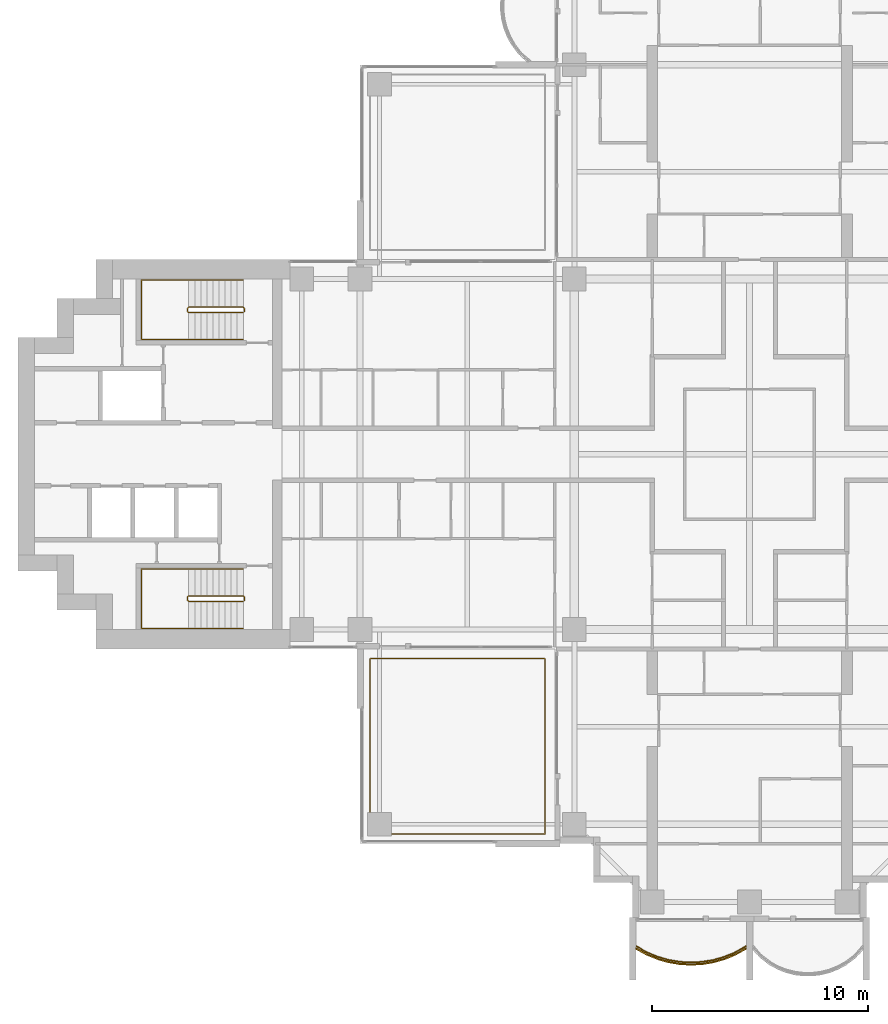
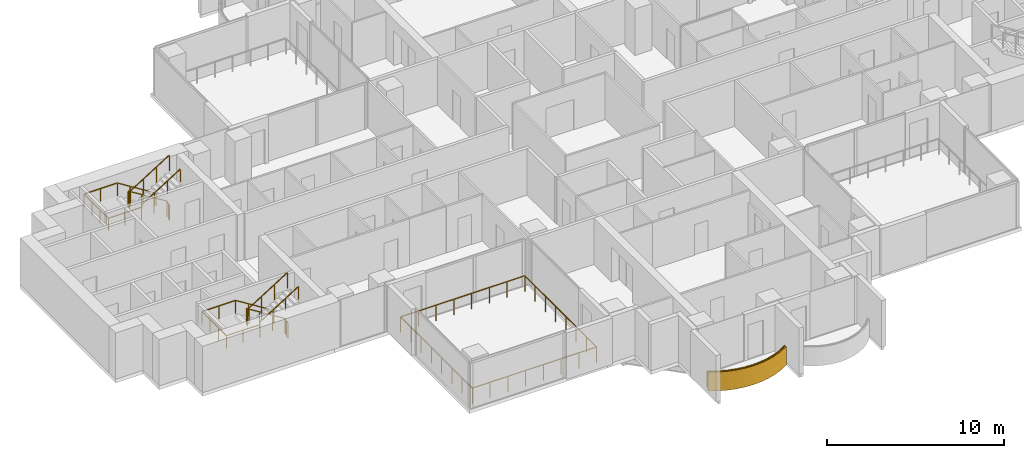
# One storey, part 16 of 19: 6 railings, 1 covering.
"""IFC4 building model written with IfcOpenShell, lengths in metres."""

from ifc_helpers import new_model, si_unit, direction, frame, origin, origin_2d, place, context, subcontext, project, spatial, polyline, rectangle, outline, extrude, material, layer, layer_set, type_object, element, save


model = new_model("IFC4")

# Units and contexts
model_context = context("Model", 3, precision=1e-05, world=origin(), true_north=direction((0.0, 1.0)))
body_context = subcontext(model_context, "Body", "Model", "MODEL_VIEW")
ifc_project = project(units=[si_unit("LENGTHUNIT", "METRE"), si_unit("AREAUNIT", "SQUARE_METRE"), si_unit("VOLUMEUNIT", "CUBIC_METRE"), si_unit("PLANEANGLEUNIT", "RADIAN"), si_unit("MASSUNIT", "GRAM", prefix="KILO")], contexts=[model_context])

# Site, building, storey
site_placement = place(None, origin())
site = spatial("IfcSite", under=ifc_project, at=site_placement, CompositionType="ELEMENT")
building_placement = place(site_placement, origin())
building = spatial("IfcBuilding", under=site, at=building_placement, Name="Perihelion Cross Residences", CompositionType="ELEMENT")
storey_placement = place(building_placement, frame((0.0, 0.0, 151.39990234375)))
storey = spatial("IfcBuildingStorey", under=building, at=storey_placement, Name="L37", CompositionType="ELEMENT", Elevation=151.39990234375)

# Covering
ifc_material_1 = material(Name="Bronze anodised aluminium", Category="aluminium")
ifc_layer = layer(ifc_material_1, 0.070068359375)
ifc_layer_set = layer_set([ifc_layer], Name="Balcony fascia 1300")
covering_type = type_object("IfcCoveringType", Name="Balcony fascia 1300", PredefinedType="CLADDING", material=ifc_layer_set)
covering_placement = place(storey_placement, frame((0.0, 0.0, -0.199951171875)))
element("IfcCovering", 1, at=covering_placement, inside=storey, type_object=covering_type, Name="Fascia BF1 L37 south tip south bay 1", PredefinedType="CLADDING", context=body_context, shape_type="SweptSolid", body=[
    extrude(outline(polyline([(-4.7705078125, -23.1484375), (-4.2529296875, -23.36083984375), (-3.735107421875, -23.506591796875), (-3.217529296875, -23.591796875), (-2.699951171875, -23.6201171875), (-2.182373046875, -23.591796875), (-1.664794921875, -23.506591796875), (-1.147216796875, -23.36083984375), (-0.629638671875, -23.1484375), (-0.14990234375, -22.880126953125), (-0.14990234375, -22.800048828125), (-0.659912109375, -23.085205078125), (-1.169921875, -23.294677734375), (-1.679931640625, -23.438232421875), (-2.18994140625, -23.522216796875), (-2.699951171875, -23.550048828125), (-3.2099609375, -23.522216796875), (-3.719970703125, -23.438232421875), (-4.22998046875, -23.294677734375), (-4.739990234375, -23.085205078125), (-5.25, -22.800048828125), (-5.25, -22.880126953125), (-4.7705078125, -23.1484375)])), origin(), (0.0, 0.0, 1.0), 1.300048828125),
])

# Railings
ifc_material_2 = material(Name="Bronze anodised aluminium", Category="aluminium")
railing_type_1 = type_object("IfcRailingType", Name="Balcony guard 1100", PredefinedType="GUARDRAIL", material=ifc_material_2)
railing_1_placement = place(storey_placement, frame((-5.22509765625, -22.739990234375, 0.0)))
element("IfcRailing", 2, at=railing_1_placement, inside=storey, type_object=railing_type_1, Name="Guard GU1 L37 south tip south bay 1 balcony", PredefinedType="GUARDRAIL", context=body_context, shape_type="SweptSolid", body=[
    extrude(rectangle(XDim=0.048095703125, YDim=0.048095703125, at=origin_2d()), frame((0.0, 0.0, 1.076171875), z_axis=(0.861900760591, -0.507076995033, 0.0), x_axis=(0.507076995033, 0.861900760591, 0.0)), (0.0, 0.0, 1.0), 0.562744140625),
    extrude(rectangle(XDim=0.048095703125, YDim=0.048095703125, at=origin_2d()), frame((0.485107421875, -0.285400390625, 1.076171875), z_axis=(0.925172605972, -0.379546636342, 0.0), x_axis=(0.379546636342, 0.925172605972, 0.0)), (0.0, 0.0, 1.0), 0.55126953125),
    extrude(rectangle(XDim=0.048095703125, YDim=0.048095703125, at=origin_2d()), frame((0.9951171875, -0.49462890625, 1.076171875), z_axis=(0.962594623481, -0.270945734134, 0.0), x_axis=(0.270945734134, 0.962594623481, 0.0)), (0.0, 0.0, 1.0), 0.52978515625),
    extrude(rectangle(XDim=0.048095703125, YDim=0.048095703125, at=origin_2d()), frame((1.505126953125, -0.63818359375, 1.076171875), z_axis=(0.98663538303, -0.162943612803, 0.0), x_axis=(0.162943612803, 0.98663538303, 0.0)), (0.0, 0.0, 1.0), 0.516845703125),
    extrude(rectangle(XDim=0.048095703125, YDim=0.048095703125, at=origin_2d()), frame((2.01513671875, -0.722412109375, 1.076171875), z_axis=(0.998540183677, -0.05401390175, 0.0), x_axis=(0.05401390175, 0.998540183677, 0.0)), (0.0, 0.0, 1.0), 0.5107421875),
    extrude(rectangle(XDim=0.048095703125, YDim=0.048095703125, at=origin_2d()), frame((2.525146484375, -0.75, 1.076171875), z_axis=(0.998540183677, 0.05401390175, 0.0), x_axis=(-0.05401390175, 0.998540183677, 0.0)), (0.0, 0.0, 1.0), 0.5107421875),
    extrude(rectangle(XDim=0.048095703125, YDim=0.048095703125, at=origin_2d()), frame((3.03515625, -0.722412109375, 1.076171875), z_axis=(0.98663538303, 0.162943612803, 0.0), x_axis=(-0.162943612803, 0.98663538303, 0.0)), (0.0, 0.0, 1.0), 0.516845703125),
    extrude(rectangle(XDim=0.048095703125, YDim=0.048095703125, at=origin_2d()), frame((3.545166015625, -0.63818359375, 1.076171875), z_axis=(0.962594623481, 0.270945734134, 0.0), x_axis=(-0.270945734134, 0.962594623481, 0.0)), (0.0, 0.0, 1.0), 0.52978515625),
    extrude(rectangle(XDim=0.048095703125, YDim=0.048095703125, at=origin_2d()), frame((4.05517578125, -0.49462890625, 1.076171875), z_axis=(0.925172605972, 0.379546636342, 0.0), x_axis=(-0.379546636342, 0.925172605972, 0.0)), (0.0, 0.0, 1.0), 0.55126953125),
    extrude(rectangle(XDim=0.048095703125, YDim=0.048095703125, at=origin_2d()), frame((4.565185546875, -0.285400390625, 1.076171875), z_axis=(0.861789164031, 0.507266632806, 0.0), x_axis=(-0.507266632806, 0.861789164031, 0.0)), (0.0, 0.0, 1.0), 0.562744140625),
    extrude(rectangle(XDim=0.0419921875, YDim=0.0419921875, at=origin_2d()), origin(), (0.0, 0.0, 1.0), 1.052001953125),
    extrude(rectangle(XDim=0.0419921875, YDim=0.0419921875, at=origin_2d()), frame((0.485107421875, -0.285400390625, 0.0)), (0.0, 0.0, 1.0), 1.052001953125),
    extrude(rectangle(XDim=0.0419921875, YDim=0.0419921875, at=origin_2d()), frame((0.9951171875, -0.49462890625, 0.0)), (0.0, 0.0, 1.0), 1.052001953125),
    extrude(rectangle(XDim=0.0419921875, YDim=0.0419921875, at=origin_2d()), frame((1.505126953125, -0.63818359375, 0.0)), (0.0, 0.0, 1.0), 1.052001953125),
    extrude(rectangle(XDim=0.0419921875, YDim=0.0419921875, at=origin_2d()), frame((2.01513671875, -0.722412109375, 0.0)), (0.0, 0.0, 1.0), 1.052001953125),
    extrude(rectangle(XDim=0.0419921875, YDim=0.0419921875, at=origin_2d()), frame((2.525146484375, -0.75, 0.0)), (0.0, 0.0, 1.0), 1.052001953125),
    extrude(rectangle(XDim=0.0419921875, YDim=0.0419921875, at=origin_2d()), frame((3.03515625, -0.722412109375, 0.0)), (0.0, 0.0, 1.0), 1.052001953125),
    extrude(rectangle(XDim=0.0419921875, YDim=0.0419921875, at=origin_2d()), frame((3.545166015625, -0.63818359375, 0.0)), (0.0, 0.0, 1.0), 1.052001953125),
    extrude(rectangle(XDim=0.0419921875, YDim=0.0419921875, at=origin_2d()), frame((4.05517578125, -0.49462890625, 0.0)), (0.0, 0.0, 1.0), 1.052001953125),
    extrude(rectangle(XDim=0.0419921875, YDim=0.0419921875, at=origin_2d()), frame((4.565185546875, -0.285400390625, 0.0)), (0.0, 0.0, 1.0), 1.052001953125),
    extrude(rectangle(XDim=0.0419921875, YDim=0.0419921875, at=origin_2d()), frame((5.050048828125, 0.0, 0.0)), (0.0, 0.0, 1.0), 1.052001953125),
])
railing_2_placement = place(storey_placement, frame((-9.449951171875, -17.550048828125, 0.0)))
element("IfcRailing", 3, at=railing_2_placement, inside=storey, type_object=railing_type_1, Name="Guard GU1 L37 pocket south-west 1", PredefinedType="GUARDRAIL", context=body_context, shape_type="SweptSolid", body=[
    extrude(rectangle(XDim=0.048095703125, YDim=0.048095703125, at=origin_2d()), frame((0.0, 0.0, 1.076171875), z_axis=(-1.0, 0.0, 0.0), x_axis=(0.0, -1.0, 0.0)), (0.0, 0.0, 1.0), 8.10009765625),
    extrude(rectangle(XDim=0.048095703125, YDim=0.048095703125, at=origin_2d()), frame((-8.10009765625, 0.0, 1.076171875), z_axis=(0.0, 1.0, 0.0), x_axis=(-1.0, 0.0, 0.0)), (0.0, 0.0, 1.0), 8.10009765625),
    extrude(rectangle(XDim=0.048095703125, YDim=0.048095703125, at=origin_2d()), frame((-8.10009765625, 8.10009765625, 1.076171875), z_axis=(1.0, 0.0, 0.0), x_axis=(0.0, 1.0, 0.0)), (0.0, 0.0, 1.0), 8.10009765625),
    extrude(rectangle(XDim=0.048095703125, YDim=0.048095703125, at=origin_2d()), frame((0.0, 8.10009765625, 1.076171875), z_axis=(0.0, -1.0, 0.0), x_axis=(1.0, 0.0, 0.0)), (0.0, 0.0, 1.0), 8.10009765625),
    extrude(rectangle(XDim=0.0419921875, YDim=0.0419921875, at=origin_2d()), origin(), (0.0, 0.0, 1.0), 1.052001953125),
    extrude(rectangle(XDim=0.0419921875, YDim=0.0419921875, at=origin_2d()), frame((-1.1572265625, 0.0, 0.0)), (0.0, 0.0, 1.0), 1.052001953125),
    extrude(rectangle(XDim=0.0419921875, YDim=0.0419921875, at=origin_2d()), frame((-2.314208984375, 0.0, 0.0)), (0.0, 0.0, 1.0), 1.052001953125),
    extrude(rectangle(XDim=0.0419921875, YDim=0.0419921875, at=origin_2d()), frame((-3.471435546875, 0.0, 0.0)), (0.0, 0.0, 1.0), 1.052001953125),
    extrude(rectangle(XDim=0.0419921875, YDim=0.0419921875, at=origin_2d()), frame((-4.628662109375, 0.0, 0.0)), (0.0, 0.0, 1.0), 1.052001953125),
    extrude(rectangle(XDim=0.0419921875, YDim=0.0419921875, at=origin_2d()), frame((-5.785888671875, 0.0, 0.0)), (0.0, 0.0, 1.0), 1.052001953125),
    extrude(rectangle(XDim=0.0419921875, YDim=0.0419921875, at=origin_2d()), frame((-6.94287109375, 0.0, 0.0)), (0.0, 0.0, 1.0), 1.052001953125),
    extrude(rectangle(XDim=0.0419921875, YDim=0.0419921875, at=origin_2d()), frame((-8.10009765625, 0.0, 0.0)), (0.0, 0.0, 1.0), 1.052001953125),
    extrude(rectangle(XDim=0.0419921875, YDim=0.0419921875, at=origin_2d()), frame((-8.10009765625, 1.1572265625, 0.0)), (0.0, 0.0, 1.0), 1.052001953125),
    extrude(rectangle(XDim=0.0419921875, YDim=0.0419921875, at=origin_2d()), frame((-8.10009765625, 2.314208984375, 0.0)), (0.0, 0.0, 1.0), 1.052001953125),
    extrude(rectangle(XDim=0.0419921875, YDim=0.0419921875, at=origin_2d()), frame((-8.10009765625, 3.471435546875, 0.0)), (0.0, 0.0, 1.0), 1.052001953125),
    extrude(rectangle(XDim=0.0419921875, YDim=0.0419921875, at=origin_2d()), frame((-8.10009765625, 4.628662109375, 0.0)), (0.0, 0.0, 1.0), 1.052001953125),
    extrude(rectangle(XDim=0.0419921875, YDim=0.0419921875, at=origin_2d()), frame((-8.10009765625, 5.785888671875, 0.0)), (0.0, 0.0, 1.0), 1.052001953125),
    extrude(rectangle(XDim=0.0419921875, YDim=0.0419921875, at=origin_2d()), frame((-8.10009765625, 6.94287109375, 0.0)), (0.0, 0.0, 1.0), 1.052001953125),
    extrude(rectangle(XDim=0.0419921875, YDim=0.0419921875, at=origin_2d()), frame((-8.10009765625, 8.10009765625, 0.0)), (0.0, 0.0, 1.0), 1.052001953125),
    extrude(rectangle(XDim=0.0419921875, YDim=0.0419921875, at=origin_2d()), frame((-6.94287109375, 8.10009765625, 0.0)), (0.0, 0.0, 1.0), 1.052001953125),
    extrude(rectangle(XDim=0.0419921875, YDim=0.0419921875, at=origin_2d()), frame((-5.785888671875, 8.10009765625, 0.0)), (0.0, 0.0, 1.0), 1.052001953125),
    extrude(rectangle(XDim=0.0419921875, YDim=0.0419921875, at=origin_2d()), frame((-4.628662109375, 8.10009765625, 0.0)), (0.0, 0.0, 1.0), 1.052001953125),
    extrude(rectangle(XDim=0.0419921875, YDim=0.0419921875, at=origin_2d()), frame((-3.471435546875, 8.10009765625, 0.0)), (0.0, 0.0, 1.0), 1.052001953125),
    extrude(rectangle(XDim=0.0419921875, YDim=0.0419921875, at=origin_2d()), frame((-2.314208984375, 8.10009765625, 0.0)), (0.0, 0.0, 1.0), 1.052001953125),
    extrude(rectangle(XDim=0.0419921875, YDim=0.0419921875, at=origin_2d()), frame((-1.1572265625, 8.10009765625, 0.0)), (0.0, 0.0, 1.0), 1.052001953125),
    extrude(rectangle(XDim=0.0419921875, YDim=0.0419921875, at=origin_2d()), frame((0.0, 8.10009765625, 0.0)), (0.0, 0.0, 1.0), 1.052001953125),
    extrude(rectangle(XDim=0.0419921875, YDim=0.0419921875, at=origin_2d()), frame((0.0, 6.94287109375, 0.0)), (0.0, 0.0, 1.0), 1.052001953125),
    extrude(rectangle(XDim=0.0419921875, YDim=0.0419921875, at=origin_2d()), frame((0.0, 5.785888671875, 0.0)), (0.0, 0.0, 1.0), 1.052001953125),
    extrude(rectangle(XDim=0.0419921875, YDim=0.0419921875, at=origin_2d()), frame((0.0, 4.628662109375, 0.0)), (0.0, 0.0, 1.0), 1.052001953125),
    extrude(rectangle(XDim=0.0419921875, YDim=0.0419921875, at=origin_2d()), frame((0.0, 3.471435546875, 0.0)), (0.0, 0.0, 1.0), 1.052001953125),
    extrude(rectangle(XDim=0.0419921875, YDim=0.0419921875, at=origin_2d()), frame((0.0, 2.314208984375, 0.0)), (0.0, 0.0, 1.0), 1.052001953125),
    extrude(rectangle(XDim=0.0419921875, YDim=0.0419921875, at=origin_2d()), frame((0.0, 1.1572265625, 0.0)), (0.0, 0.0, 1.0), 1.052001953125),
])
ifc_material_3 = material(Name="Stainless steel", Category="steel")
railing_type_2 = type_object("IfcRailingType", Name="Stair guard 1100", PredefinedType="GUARDRAIL", material=ifc_material_3)
railing_3_placement = place(storey_placement, frame((-23.35009765625, 6.60009765625, 0.0)))
element("IfcRailing", 4, at=railing_3_placement, inside=storey, type_object=railing_type_2, Name="L37 ST-W1 stair guard 1", PredefinedType="GUARDRAIL", context=body_context, shape_type="SweptSolid", body=[
    extrude(rectangle(XDim=0.048095703125, YDim=0.048095703125, at=origin_2d()), frame((0.0, 0.0, 1.076171875), z_axis=(0.0, 1.0, 0.0), x_axis=(-1.0, 0.0, 0.0)), (0.0, 0.0, 1.0), 0.14990234375),
    extrude(rectangle(XDim=0.048095703125, YDim=0.048095703125, at=origin_2d()), frame((0.0, 0.14990234375, 1.076171875), z_axis=(-0.263862480399, 0.265155923931, 0.927399011991), x_axis=(-0.708833529934, -0.705375805398, 0.0)), (0.0, 0.0, 1.0), 0.188720703125),
    extrude(rectangle(XDim=0.048095703125, YDim=0.048095703125, at=origin_2d()), frame((-0.0498046875, 0.199951171875, 1.2509765625), z_axis=(-0.848007534815, 0.0, 0.529984170421), x_axis=(0.0, -1.0, 0.0)), (0.0, 0.0, 1.0), 2.9716796875),
    extrude(rectangle(XDim=0.048095703125, YDim=0.048095703125, at=origin_2d()), frame((-2.56982421875, 0.199951171875, 2.826171875), z_axis=(-0.707106781187, -0.707106781187, 0.0), x_axis=(0.707106781187, -0.707106781187, 0.0)), (0.0, 0.0, 1.0), 0.07080078125),
    extrude(rectangle(XDim=0.048095703125, YDim=0.048095703125, at=origin_2d()), frame((-2.619873046875, 0.14990234375, 2.826171875), z_axis=(0.0, -1.0, 0.0), x_axis=(1.0, 0.0, 0.0)), (0.0, 0.0, 1.0), 0.14990234375),
    extrude(rectangle(XDim=0.048095703125, YDim=0.048095703125, at=origin_2d()), frame((-2.619873046875, 0.0, 2.826171875), z_axis=(0.265065253269, -0.265065253269, 0.927081885822), x_axis=(0.707106781187, 0.707106781187, 0.0)), (0.0, 0.0, 1.0), 0.188720703125),
    extrude(rectangle(XDim=0.048095703125, YDim=0.048095703125, at=origin_2d()), frame((-2.56982421875, -0.050048828125, 3.0009765625), z_axis=(0.848007534815, 0.0, 0.529984170421), x_axis=(0.0, 1.0, 0.0)), (0.0, 0.0, 1.0), 2.9716796875),
    extrude(rectangle(XDim=0.0419921875, YDim=0.0419921875, at=origin_2d()), origin(), (0.0, 0.0, 1.0), 1.052001953125),
    extrude(rectangle(XDim=0.0419921875, YDim=0.0419921875, at=origin_2d()), frame((0.0, 0.14990234375, 0.0)), (0.0, 0.0, 1.0), 1.052001953125),
    extrude(rectangle(XDim=0.0419921875, YDim=0.0419921875, at=origin_2d()), frame((-0.0498046875, 0.199951171875, 0.175048828125)), (0.0, 0.0, 1.0), 1.052001953125),
    extrude(rectangle(XDim=0.0419921875, YDim=0.0419921875, at=origin_2d()), frame((-0.889892578125, 0.199951171875, 0.699951171875)), (0.0, 0.0, 1.0), 1.052001953125),
    extrude(rectangle(XDim=0.0419921875, YDim=0.0419921875, at=origin_2d()), frame((-1.729736328125, 0.199951171875, 1.22509765625)), (0.0, 0.0, 1.0), 1.052001953125),
    extrude(rectangle(XDim=0.0419921875, YDim=0.0419921875, at=origin_2d()), frame((-2.56982421875, 0.199951171875, 1.75)), (0.0, 0.0, 1.0), 1.052001953125),
    extrude(rectangle(XDim=0.0419921875, YDim=0.0419921875, at=origin_2d()), frame((-2.619873046875, 0.14990234375, 1.75)), (0.0, 0.0, 1.0), 1.052001953125),
    extrude(rectangle(XDim=0.0419921875, YDim=0.0419921875, at=origin_2d()), frame((-2.619873046875, 0.0, 1.75)), (0.0, 0.0, 1.0), 1.052001953125),
    extrude(rectangle(XDim=0.0419921875, YDim=0.0419921875, at=origin_2d()), frame((-2.56982421875, -0.050048828125, 1.925048828125)), (0.0, 0.0, 1.0), 1.052001953125),
    extrude(rectangle(XDim=0.0419921875, YDim=0.0419921875, at=origin_2d()), frame((-1.729736328125, -0.050048828125, 2.449951171875)), (0.0, 0.0, 1.0), 1.052001953125),
    extrude(rectangle(XDim=0.0419921875, YDim=0.0419921875, at=origin_2d()), frame((-0.889892578125, -0.050048828125, 2.97509765625)), (0.0, 0.0, 1.0), 1.052001953125),
    extrude(rectangle(XDim=0.0419921875, YDim=0.0419921875, at=origin_2d()), frame((-0.0498046875, -0.050048828125, 3.5)), (0.0, 0.0, 1.0), 1.052001953125),
])
railing_4_placement = place(storey_placement, frame((-23.35009765625, -6.75, 0.0)))
element("IfcRailing", 5, at=railing_4_placement, inside=storey, type_object=railing_type_2, Name="L37 ST-W2 stair guard 1", PredefinedType="GUARDRAIL", context=body_context, shape_type="SweptSolid", body=[
    extrude(rectangle(XDim=0.048095703125, YDim=0.048095703125, at=origin_2d()), frame((0.0, 0.0, 1.076171875), z_axis=(0.0, 1.0, 0.0), x_axis=(-1.0, 0.0, 0.0)), (0.0, 0.0, 1.0), 0.14990234375),
    extrude(rectangle(XDim=0.048095703125, YDim=0.048095703125, at=origin_2d()), frame((0.0, 0.14990234375, 1.076171875), z_axis=(-0.263862480399, 0.265155923931, 0.927399011991), x_axis=(-0.708833529934, -0.705375805398, 0.0)), (0.0, 0.0, 1.0), 0.188720703125),
    extrude(rectangle(XDim=0.048095703125, YDim=0.048095703125, at=origin_2d()), frame((-0.0498046875, 0.199951171875, 1.2509765625), z_axis=(-0.848007534815, 0.0, 0.529984170421), x_axis=(0.0, -1.0, 0.0)), (0.0, 0.0, 1.0), 2.9716796875),
    extrude(rectangle(XDim=0.048095703125, YDim=0.048095703125, at=origin_2d()), frame((-2.56982421875, 0.199951171875, 2.826171875), z_axis=(-0.707106781187, -0.707106781187, 0.0), x_axis=(0.707106781187, -0.707106781187, 0.0)), (0.0, 0.0, 1.0), 0.07080078125),
    extrude(rectangle(XDim=0.048095703125, YDim=0.048095703125, at=origin_2d()), frame((-2.619873046875, 0.14990234375, 2.826171875), z_axis=(0.0, -1.0, 0.0), x_axis=(1.0, 0.0, 0.0)), (0.0, 0.0, 1.0), 0.14990234375),
    extrude(rectangle(XDim=0.048095703125, YDim=0.048095703125, at=origin_2d()), frame((-2.619873046875, 0.0, 2.826171875), z_axis=(0.265065253269, -0.265065253269, 0.927081885822), x_axis=(0.707106781187, 0.707106781187, 0.0)), (0.0, 0.0, 1.0), 0.188720703125),
    extrude(rectangle(XDim=0.048095703125, YDim=0.048095703125, at=origin_2d()), frame((-2.56982421875, -0.050048828125, 3.0009765625), z_axis=(0.848007534815, 0.0, 0.529984170421), x_axis=(0.0, 1.0, 0.0)), (0.0, 0.0, 1.0), 2.9716796875),
    extrude(rectangle(XDim=0.0419921875, YDim=0.0419921875, at=origin_2d()), origin(), (0.0, 0.0, 1.0), 1.052001953125),
    extrude(rectangle(XDim=0.0419921875, YDim=0.0419921875, at=origin_2d()), frame((0.0, 0.14990234375, 0.0)), (0.0, 0.0, 1.0), 1.052001953125),
    extrude(rectangle(XDim=0.0419921875, YDim=0.0419921875, at=origin_2d()), frame((-0.0498046875, 0.199951171875, 0.175048828125)), (0.0, 0.0, 1.0), 1.052001953125),
    extrude(rectangle(XDim=0.0419921875, YDim=0.0419921875, at=origin_2d()), frame((-0.889892578125, 0.199951171875, 0.699951171875)), (0.0, 0.0, 1.0), 1.052001953125),
    extrude(rectangle(XDim=0.0419921875, YDim=0.0419921875, at=origin_2d()), frame((-1.729736328125, 0.199951171875, 1.22509765625)), (0.0, 0.0, 1.0), 1.052001953125),
    extrude(rectangle(XDim=0.0419921875, YDim=0.0419921875, at=origin_2d()), frame((-2.56982421875, 0.199951171875, 1.75)), (0.0, 0.0, 1.0), 1.052001953125),
    extrude(rectangle(XDim=0.0419921875, YDim=0.0419921875, at=origin_2d()), frame((-2.619873046875, 0.14990234375, 1.75)), (0.0, 0.0, 1.0), 1.052001953125),
    extrude(rectangle(XDim=0.0419921875, YDim=0.0419921875, at=origin_2d()), frame((-2.619873046875, 0.0, 1.75)), (0.0, 0.0, 1.0), 1.052001953125),
    extrude(rectangle(XDim=0.0419921875, YDim=0.0419921875, at=origin_2d()), frame((-2.56982421875, -0.050048828125, 1.925048828125)), (0.0, 0.0, 1.0), 1.052001953125),
    extrude(rectangle(XDim=0.0419921875, YDim=0.0419921875, at=origin_2d()), frame((-1.729736328125, -0.050048828125, 2.449951171875)), (0.0, 0.0, 1.0), 1.052001953125),
    extrude(rectangle(XDim=0.0419921875, YDim=0.0419921875, at=origin_2d()), frame((-0.889892578125, -0.050048828125, 2.97509765625)), (0.0, 0.0, 1.0), 1.052001953125),
    extrude(rectangle(XDim=0.0419921875, YDim=0.0419921875, at=origin_2d()), frame((-0.0498046875, -0.050048828125, 3.5)), (0.0, 0.0, 1.0), 1.052001953125),
])
ifc_material_4 = material(Name="Stainless steel", Category="steel")
railing_type_3 = type_object("IfcRailingType", Name="Stair handrail 900", PredefinedType="HANDRAIL", material=ifc_material_4)
railing_5_placement = place(storey_placement, frame((-23.39990234375, 8.050048828125, 0.175048828125)))
element("IfcRailing", 6, at=railing_5_placement, inside=storey, type_object=railing_type_3, Name="L37 ST-W1 stair handrail 1", PredefinedType="HANDRAIL", context=body_context, shape_type="SweptSolid", body=[
    extrude(rectangle(XDim=0.048095703125, YDim=0.048095703125, at=origin_2d()), frame((0.0, 0.0, 0.8759765625), z_axis=(-0.848007534815, 0.0, 0.529984170421), x_axis=(0.0, -1.0, 0.0)), (0.0, 0.0, 1.0), 2.9716796875),
    extrude(rectangle(XDim=0.048095703125, YDim=0.048095703125, at=origin_2d()), frame((-2.52001953125, 0.0, 2.45068359375), z_axis=(-1.0, 0.0, 0.0), x_axis=(0.0, -1.0, 0.0)), (0.0, 0.0, 1.0), 2.18017578125),
    extrude(rectangle(XDim=0.048095703125, YDim=0.048095703125, at=origin_2d()), frame((-4.7001953125, 0.0, 2.45068359375), z_axis=(0.0, -1.0, 0.0), x_axis=(1.0, 0.0, 0.0)), (0.0, 0.0, 1.0), 2.75),
    extrude(rectangle(XDim=0.048095703125, YDim=0.048095703125, at=origin_2d()), frame((-4.7001953125, -2.75, 2.45068359375), z_axis=(1.0, 0.0, 0.0), x_axis=(0.0, 1.0, 0.0)), (0.0, 0.0, 1.0), 2.18017578125),
    extrude(rectangle(XDim=0.048095703125, YDim=0.048095703125, at=origin_2d()), frame((-2.52001953125, -2.75, 2.45068359375), z_axis=(0.0, 0.0, 1.0), x_axis=(1.0, 0.0, 0.0)), (0.0, 0.0, 1.0), 0.175048828125),
    extrude(rectangle(XDim=0.048095703125, YDim=0.048095703125, at=origin_2d()), frame((-2.52001953125, -2.75, 2.6259765625), z_axis=(0.848007534815, 0.0, 0.529984170421), x_axis=(0.0, 1.0, 0.0)), (0.0, 0.0, 1.0), 2.9716796875),
    extrude(rectangle(XDim=0.0419921875, YDim=0.0419921875, at=origin_2d()), origin(), (0.0, 0.0, 1.0), 0.851806640625),
    extrude(rectangle(XDim=0.0419921875, YDim=0.0419921875, at=origin_2d()), frame((-0.840087890625, 0.0, 0.52490234375)), (0.0, 0.0, 1.0), 0.851806640625),
    extrude(rectangle(XDim=0.0419921875, YDim=0.0419921875, at=origin_2d()), frame((-1.679931640625, 0.0, 1.050048828125)), (0.0, 0.0, 1.0), 0.851806640625),
    extrude(rectangle(XDim=0.0419921875, YDim=0.0419921875, at=origin_2d()), frame((-2.52001953125, 0.0, 1.574951171875)), (0.0, 0.0, 1.0), 0.851806640625),
    extrude(rectangle(XDim=0.0419921875, YDim=0.0419921875, at=origin_2d()), frame((-3.610107421875, 0.0, 1.574951171875)), (0.0, 0.0, 1.0), 0.851806640625),
    extrude(rectangle(XDim=0.0419921875, YDim=0.0419921875, at=origin_2d()), frame((-4.7001953125, 0.0, 1.574951171875)), (0.0, 0.0, 1.0), 0.851806640625),
    extrude(rectangle(XDim=0.0419921875, YDim=0.0419921875, at=origin_2d()), frame((-4.7001953125, -0.916748046875, 1.574951171875)), (0.0, 0.0, 1.0), 0.851806640625),
    extrude(rectangle(XDim=0.0419921875, YDim=0.0419921875, at=origin_2d()), frame((-4.7001953125, -1.833251953125, 1.574951171875)), (0.0, 0.0, 1.0), 0.851806640625),
    extrude(rectangle(XDim=0.0419921875, YDim=0.0419921875, at=origin_2d()), frame((-4.7001953125, -2.75, 1.574951171875)), (0.0, 0.0, 1.0), 0.851806640625),
    extrude(rectangle(XDim=0.0419921875, YDim=0.0419921875, at=origin_2d()), frame((-3.610107421875, -2.75, 1.574951171875)), (0.0, 0.0, 1.0), 0.851806640625),
    extrude(rectangle(XDim=0.0419921875, YDim=0.0419921875, at=origin_2d()), frame((-2.52001953125, -2.75, 1.574951171875)), (0.0, 0.0, 1.0), 0.851806640625),
    extrude(rectangle(XDim=0.0419921875, YDim=0.0419921875, at=origin_2d()), frame((-2.52001953125, -2.75, 1.75)), (0.0, 0.0, 1.0), 0.851806640625),
    extrude(rectangle(XDim=0.0419921875, YDim=0.0419921875, at=origin_2d()), frame((-1.679931640625, -2.75, 2.27490234375)), (0.0, 0.0, 1.0), 0.851806640625),
    extrude(rectangle(XDim=0.0419921875, YDim=0.0419921875, at=origin_2d()), frame((-0.840087890625, -2.75, 2.800048828125)), (0.0, 0.0, 1.0), 0.851806640625),
    extrude(rectangle(XDim=0.0419921875, YDim=0.0419921875, at=origin_2d()), frame((0.0, -2.75, 3.324951171875)), (0.0, 0.0, 1.0), 0.851806640625),
])
railing_6_placement = place(storey_placement, frame((-23.39990234375, -5.300048828125, 0.175048828125)))
element("IfcRailing", 7, at=railing_6_placement, inside=storey, type_object=railing_type_3, Name="L37 ST-W2 stair handrail 1", PredefinedType="HANDRAIL", context=body_context, shape_type="SweptSolid", body=[
    extrude(rectangle(XDim=0.048095703125, YDim=0.048095703125, at=origin_2d()), frame((0.0, 0.0, 0.8759765625), z_axis=(-0.848007534815, 0.0, 0.529984170421), x_axis=(0.0, -1.0, 0.0)), (0.0, 0.0, 1.0), 2.9716796875),
    extrude(rectangle(XDim=0.048095703125, YDim=0.048095703125, at=origin_2d()), frame((-2.52001953125, 0.0, 2.45068359375), z_axis=(-1.0, 0.0, 0.0), x_axis=(0.0, -1.0, 0.0)), (0.0, 0.0, 1.0), 2.18017578125),
    extrude(rectangle(XDim=0.048095703125, YDim=0.048095703125, at=origin_2d()), frame((-4.7001953125, 0.0, 2.45068359375), z_axis=(0.0, -1.0, 0.0), x_axis=(1.0, 0.0, 0.0)), (0.0, 0.0, 1.0), 2.75),
    extrude(rectangle(XDim=0.048095703125, YDim=0.048095703125, at=origin_2d()), frame((-4.7001953125, -2.75, 2.45068359375), z_axis=(1.0, 0.0, 0.0), x_axis=(0.0, 1.0, 0.0)), (0.0, 0.0, 1.0), 2.18017578125),
    extrude(rectangle(XDim=0.048095703125, YDim=0.048095703125, at=origin_2d()), frame((-2.52001953125, -2.75, 2.45068359375), z_axis=(0.0, 0.0, 1.0), x_axis=(1.0, 0.0, 0.0)), (0.0, 0.0, 1.0), 0.175048828125),
    extrude(rectangle(XDim=0.048095703125, YDim=0.048095703125, at=origin_2d()), frame((-2.52001953125, -2.75, 2.6259765625), z_axis=(0.848007534815, 0.0, 0.529984170421), x_axis=(0.0, 1.0, 0.0)), (0.0, 0.0, 1.0), 2.9716796875),
    extrude(rectangle(XDim=0.0419921875, YDim=0.0419921875, at=origin_2d()), origin(), (0.0, 0.0, 1.0), 0.851806640625),
    extrude(rectangle(XDim=0.0419921875, YDim=0.0419921875, at=origin_2d()), frame((-0.840087890625, 0.0, 0.52490234375)), (0.0, 0.0, 1.0), 0.851806640625),
    extrude(rectangle(XDim=0.0419921875, YDim=0.0419921875, at=origin_2d()), frame((-1.679931640625, 0.0, 1.050048828125)), (0.0, 0.0, 1.0), 0.851806640625),
    extrude(rectangle(XDim=0.0419921875, YDim=0.0419921875, at=origin_2d()), frame((-2.52001953125, 0.0, 1.574951171875)), (0.0, 0.0, 1.0), 0.851806640625),
    extrude(rectangle(XDim=0.0419921875, YDim=0.0419921875, at=origin_2d()), frame((-3.610107421875, 0.0, 1.574951171875)), (0.0, 0.0, 1.0), 0.851806640625),
    extrude(rectangle(XDim=0.0419921875, YDim=0.0419921875, at=origin_2d()), frame((-4.7001953125, 0.0, 1.574951171875)), (0.0, 0.0, 1.0), 0.851806640625),
    extrude(rectangle(XDim=0.0419921875, YDim=0.0419921875, at=origin_2d()), frame((-4.7001953125, -0.916748046875, 1.574951171875)), (0.0, 0.0, 1.0), 0.851806640625),
    extrude(rectangle(XDim=0.0419921875, YDim=0.0419921875, at=origin_2d()), frame((-4.7001953125, -1.833251953125, 1.574951171875)), (0.0, 0.0, 1.0), 0.851806640625),
    extrude(rectangle(XDim=0.0419921875, YDim=0.0419921875, at=origin_2d()), frame((-4.7001953125, -2.75, 1.574951171875)), (0.0, 0.0, 1.0), 0.851806640625),
    extrude(rectangle(XDim=0.0419921875, YDim=0.0419921875, at=origin_2d()), frame((-3.610107421875, -2.75, 1.574951171875)), (0.0, 0.0, 1.0), 0.851806640625),
    extrude(rectangle(XDim=0.0419921875, YDim=0.0419921875, at=origin_2d()), frame((-2.52001953125, -2.75, 1.574951171875)), (0.0, 0.0, 1.0), 0.851806640625),
    extrude(rectangle(XDim=0.0419921875, YDim=0.0419921875, at=origin_2d()), frame((-2.52001953125, -2.75, 1.75)), (0.0, 0.0, 1.0), 0.851806640625),
    extrude(rectangle(XDim=0.0419921875, YDim=0.0419921875, at=origin_2d()), frame((-1.679931640625, -2.75, 2.27490234375)), (0.0, 0.0, 1.0), 0.851806640625),
    extrude(rectangle(XDim=0.0419921875, YDim=0.0419921875, at=origin_2d()), frame((-0.840087890625, -2.75, 2.800048828125)), (0.0, 0.0, 1.0), 0.851806640625),
    extrude(rectangle(XDim=0.0419921875, YDim=0.0419921875, at=origin_2d()), frame((0.0, -2.75, 3.324951171875)), (0.0, 0.0, 1.0), 0.851806640625),
])

save(model, "model.ifc")
